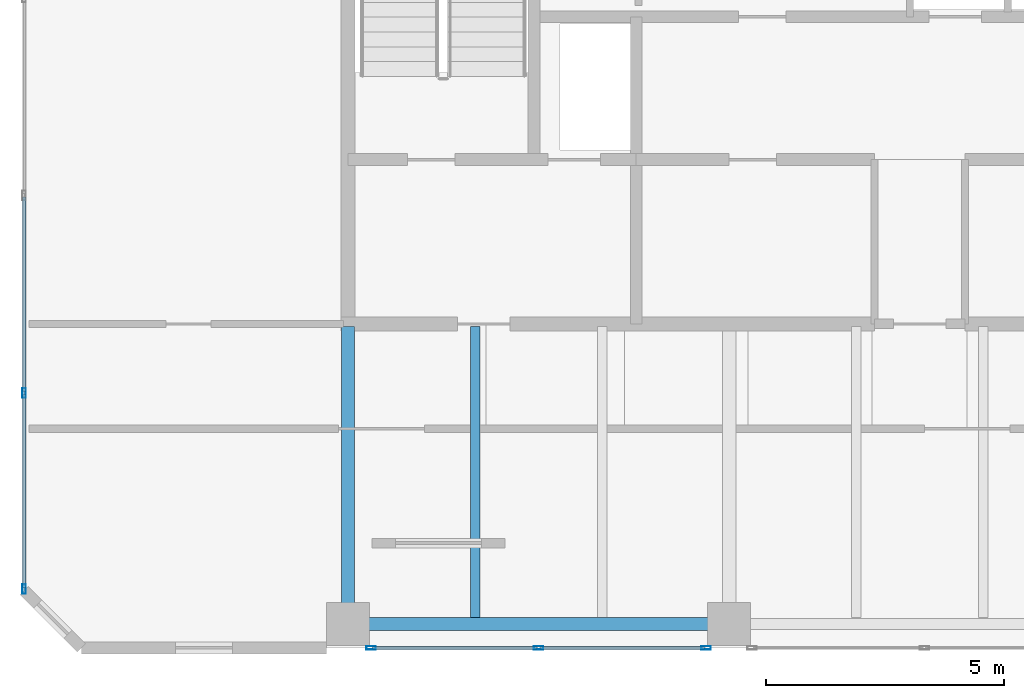
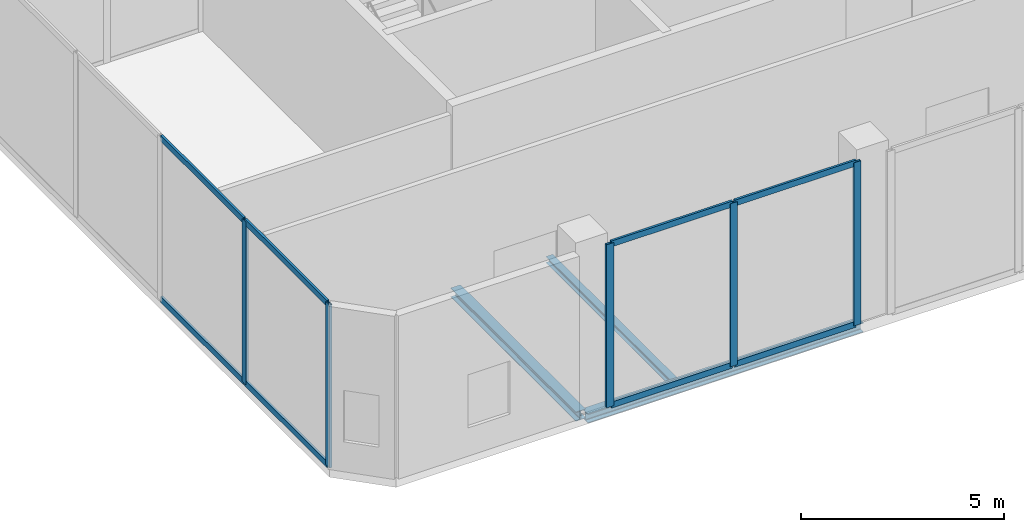
# One storey, part 2 of 10: 13 members, 3 beams, 2 elements without a shape of their own.
"""IFC4 building model written with IfcOpenShell, lengths in metres."""

import ifcopenshell
import ifcopenshell.guid

model = None  # the IFC model being written
_history = None  # IfcOwnerHistory: only IFC2X3 demands one
_inside = {}  # id of a spatial element -> (the spatial element, [elements in it])
_under = {}  # id of a project, library or spatial element -> (it, [spatial elements below it])
_declared = {}  # id of a project -> (the project, [libraries it declares])
_typed = {}  # id of a type object -> (the type object, [elements of that type])
_made_of = {}  # id of a material, layer set ... -> (it, [elements and type objects made of it])


def new_model(schema):
    """Start an empty IFC model of exactly this schema.

    Asked for "IFC4X3", IfcOpenShell would pick the latest addendum, in which some entities
    have other attributes; the version numbers below select the first issue.
    IFC2X3 requires an IfcOwnerHistory on every rooted entity: one is made here for all.
    """
    global model, _history
    if schema == "IFC4X3":
        model = ifcopenshell.file(schema_version=(4, 3, 0, 0))
    else:
        model = ifcopenshell.file(schema=schema)
    _inside.clear()
    _under.clear()
    _declared.clear()
    _typed.clear()
    _made_of.clear()
    _history = None
    if model.schema == "IFC2X3":
        org = make("IfcOrganization", Name="unknown")
        user = make(
            "IfcPersonAndOrganization",
            ThePerson=make("IfcPerson", FamilyName="unknown"),
            TheOrganization=org,
        )
        app = make(
            "IfcApplication",
            ApplicationDeveloper=org,
            Version="unknown",
            ApplicationFullName="unknown",
            ApplicationIdentifier="unknown",
        )
        _history = make(
            "IfcOwnerHistory",
            OwningUser=user,
            OwningApplication=app,
            ChangeAction="ADDED",
            CreationDate=0,
        )
    return model


def make(cls, **values):
    """One entity of the class cls with the attributes given. An attribute that is None is left unset."""
    return model.create_entity(
        cls, **{name: value for name, value in values.items() if value is not None}
    )


def rooted(cls, **values):
    """An entity with a GlobalId (a new one), such as an element, a storey or a relation."""
    return make(cls, GlobalId=ifcopenshell.guid.new(), OwnerHistory=_history, **values)


def si_unit(unit_type, name, prefix=None):
    """IfcSIUnit, for example si_unit("LENGTHUNIT", "METRE", prefix="MILLI")."""
    return make("IfcSIUnit", UnitType=unit_type, Prefix=prefix, Name=name)


def assignment(units):
    """IfcUnitAssignment: the units of a project."""
    return None if units is None else make("IfcUnitAssignment", Units=units)


def point(xyz):
    """IfcCartesianPoint."""
    return None if xyz is None else make("IfcCartesianPoint", Coordinates=xyz)


def direction(xyz):
    """IfcDirection."""
    return None if xyz is None else make("IfcDirection", DirectionRatios=xyz)


def frame(location, z_axis=None, x_axis=None):
    """IfcAxis2Placement3D, a coordinate frame: its origin and axes. An axis left out is left unset."""
    return make(
        "IfcAxis2Placement3D",
        Location=point(location),
        Axis=direction(z_axis),
        RefDirection=direction(x_axis),
    )


def frame_2d(location, x_axis=None):
    """IfcAxis2Placement2D, a coordinate frame in the plane: its origin and x axis."""
    return make(
        "IfcAxis2Placement2D", Location=point(location), RefDirection=direction(x_axis)
    )


def origin():
    """The frame at (0, 0, 0) with its axes left unset."""
    return frame((0.0, 0.0, 0.0))


def origin_2d():
    """The frame at (0, 0) in the plane with its x axis left unset."""
    return frame_2d((0.0, 0.0))


def place(relative_to, where):
    """IfcLocalPlacement: puts the frame where relative to a parent placement (None: the world)."""
    return make(
        "IfcLocalPlacement", PlacementRelTo=relative_to, RelativePlacement=where
    )


def context(
    kind, dimensions, precision=None, world=None, true_north=None, identifier=None
):
    """IfcGeometricRepresentationContext, for example the 3D "Model" context."""
    return make(
        "IfcGeometricRepresentationContext",
        ContextIdentifier=identifier,
        ContextType=kind,
        CoordinateSpaceDimension=dimensions,
        Precision=precision,
        WorldCoordinateSystem=world,
        TrueNorth=true_north,
    )


def subcontext(parent, identifier, kind, view, scale=None):
    """IfcGeometricRepresentationSubContext, for example "Body" below "Model"."""
    return make(
        "IfcGeometricRepresentationSubContext",
        ContextIdentifier=identifier,
        ContextType=kind,
        ParentContext=parent,
        TargetScale=scale,
        TargetView=view,
    )


def project(units=None, contexts=None):
    """IfcProject with its units and contexts."""
    return rooted(
        "IfcProject",
        Name="project",
        RepresentationContexts=contexts,
        UnitsInContext=assignment(units),
    )


def spatial(cls, under=None, at=None, **own):
    """A site, building, storey or space (cls), placed at a placement, below another one or the project."""
    s = rooted(cls, ObjectPlacement=at, **own)
    if under is not None:
        _under.setdefault(under.id(), (under, []))[1].append(s)
    return s


def profile(cls, at=None, kind="AREA", **sizes):
    """A parametric profile (cls). Its sizes go by their IFC names, for example OverallWidth=200.0."""
    return make(cls, ProfileType=kind, Position=at, **sizes)


def hollow_rectangle(**sizes):
    """IfcRectangleHollowProfileDef."""
    return profile("IfcRectangleHollowProfileDef", **sizes)


def i_section(**sizes):
    """IfcIShapeProfileDef."""
    return profile("IfcIShapeProfileDef", **sizes)


def extrude(swept, where, along, depth):
    """IfcExtrudedAreaSolid: the profile swept, set in the frame where, extruded along a direction by depth."""
    return make(
        "IfcExtrudedAreaSolid",
        SweptArea=swept,
        Position=where,
        ExtrudedDirection=direction(along),
        Depth=depth,
    )


def shape(context_of_items, identifier, shape_type, items):
    """IfcShapeRepresentation: the items that make up one representation, for example the "Body"."""
    return make(
        "IfcShapeRepresentation",
        ContextOfItems=context_of_items,
        RepresentationIdentifier=identifier,
        RepresentationType=shape_type,
        Items=items,
    )


def material(Name=None, Category=None):
    """IfcMaterial."""
    return make("IfcMaterial", Name=Name, Category=Category)


def layer(
    of_material, thickness, ventilated=None, Name=None, Category=None, Priority=None
):
    """IfcMaterialLayer: one layer of a wall or slab, of a material (None: an air gap)."""
    return make(
        "IfcMaterialLayer",
        Material=of_material,
        LayerThickness=thickness,
        IsVentilated=ventilated,
        Name=Name,
        Category=Category,
        Priority=Priority,
    )


def layer_set(layers, Name=None):
    """IfcMaterialLayerSet."""
    return make("IfcMaterialLayerSet", MaterialLayers=layers, LayerSetName=Name)


def material_profile(
    of_material, cross_section, Name=None, Category=None, Priority=None
):
    """IfcMaterialProfile: a cross section and its material."""
    return make(
        "IfcMaterialProfile",
        Name=Name,
        Material=of_material,
        Profile=cross_section,
        Priority=Priority,
        Category=Category,
    )


def profile_set(profiles, Name=None, composite=None):
    """IfcMaterialProfileSet."""
    return make(
        "IfcMaterialProfileSet",
        Name=Name,
        MaterialProfiles=profiles,
        CompositeProfile=composite,
    )


def made_of(thing, what):
    """Note that an element or type object is made of a material, layer set ...; save() writes the relation."""
    if what is not None:
        _made_of.setdefault(what.id(), (what, []))[1].append(thing)
    return thing


def type_object(cls, material=None, **own):
    """A type object (cls), such as IfcWallType, which elements share."""
    return made_of(rooted(cls, **own), material)


def element(
    cls,
    number,
    at=None,
    inside=None,
    cuts=None,
    type_object=None,
    material=None,
    context=None,
    identifier="Body",
    shape_type=None,
    held_by="IfcProductDefinitionShape",
    body=None,
    shapes=None,
    **own,
):
    """One element of the class cls, such as IfcWall. Its Tag is "e" and its number.

    at: its placement. inside: the storey or other place that contains it. cuts: it is an
    opening in that element (IfcRelVoidsElement). A single representation is given by context,
    identifier, shape_type and body (its items); several are given by shapes. held_by: the class
    of the entity that holds the representations. save() writes the other relations.
    """
    e = rooted(cls, Tag="e%d" % number, ObjectPlacement=at, **own)
    if body is not None:
        shapes = [shape(context, identifier, shape_type, body)]
    if shapes is not None:
        e.Representation = make(held_by, Representations=shapes)
    if inside is not None:
        _inside.setdefault(inside.id(), (inside, []))[1].append(e)
    if cuts is not None:
        rooted(
            "IfcRelVoidsElement", RelatingBuildingElement=cuts, RelatedOpeningElement=e
        )
    if type_object is not None:
        _typed.setdefault(type_object.id(), (type_object, []))[1].append(e)
    return made_of(e, material)


def aggregate(whole, parts):
    """IfcRelAggregates: a whole, such as a stair, and the parts it consists of."""
    return rooted("IfcRelAggregates", RelatingObject=whole, RelatedObjects=parts)


def save(model, path):
    """Write the relations noted so far, then the file.

    IfcRelAggregates (storeys below a building ...), IfcRelContainedInSpatialStructure (elements
    in a storey), IfcRelDefinesByType, IfcRelAssociatesMaterial and IfcRelDeclares: one each for
    every whole, place, type object, material and project.
    """
    for whole, parts in _under.values():
        aggregate(whole, parts)
    for where, things in _inside.values():
        rooted(
            "IfcRelContainedInSpatialStructure",
            RelatedElements=things,
            RelatingStructure=where,
        )
    for kind, things in _typed.values():
        rooted("IfcRelDefinesByType", RelatedObjects=things, RelatingType=kind)
    for what, things in _made_of.values():
        rooted("IfcRelAssociatesMaterial", RelatedObjects=things, RelatingMaterial=what)
    for by, libraries in _declared.values():
        rooted("IfcRelDeclares", RelatingContext=by, RelatedDefinitions=libraries)
    model.write(path)


model = new_model("IFC4")

# Units and contexts
model_context = context("Model", 3, precision=1e-05, world=origin(), true_north=direction((0.0, 1.0)))
body_context = subcontext(model_context, "Body", "Model", "MODEL_VIEW")
ifc_project = project(units=[si_unit("LENGTHUNIT", "METRE"), si_unit("AREAUNIT", "SQUARE_METRE"), si_unit("VOLUMEUNIT", "CUBIC_METRE"), si_unit("PLANEANGLEUNIT", "RADIAN"), si_unit("MASSUNIT", "GRAM", prefix="KILO")], contexts=[model_context])

# Site, building, storey
site_placement = place(None, origin())
site = spatial("IfcSite", under=ifc_project, at=site_placement, CompositionType="ELEMENT")
building_placement = place(site_placement, origin())
building = spatial("IfcBuilding", under=site, at=building_placement, Name="Catumbela Crestline Tower", CompositionType="ELEMENT")
storey_placement = place(building_placement, frame((0.0, 0.0, 295.8)))
storey = spatial("IfcBuildingStorey", under=building, at=storey_placement, Name="L76", CompositionType="ELEMENT", Elevation=295.8)

# Beams
ifc_material_1 = material(Name="Structural steel S355J2", Category="steel")
ifc_material_profile_1 = material_profile(ifc_material_1, i_section(OverallWidth=0.28, OverallDepth=0.28, WebThickness=0.0105, FlangeThickness=0.018, FilletRadius=0.024, at=origin_2d()), Name="HEB 280")
ifc_profile_set_1 = profile_set([ifc_material_profile_1], Name="Structural steel S355J2")
beam_type_1 = type_object("IfcBeamType", Name="BG-HEB280", PredefinedType="BEAM", material=ifc_profile_set_1)
beam_1_placement = place(storey_placement, frame((16.08, 24.5, -0.46), z_axis=(1.0, 0.0, 0.0), x_axis=(0.0, 1.0, 0.0)))
element("IfcBeam", 1, at=beam_1_placement, inside=storey, type_object=beam_type_1, Name="L76 Beam BM-L76-S01", PredefinedType="BEAM", context=body_context, shape_type="SweptSolid", body=[
    extrude(i_section(OverallWidth=0.28, OverallDepth=0.28, WebThickness=0.0105, FlangeThickness=0.018, FilletRadius=0.024, at=origin_2d()), origin(), (0.0, 0.0, 1.0), 7.84),
])
beam_2_placement = place(storey_placement, frame((16.0, 24.58, -0.46), z_axis=(0.0, 1.0, 0.0), x_axis=(-1.0, 0.0, 0.0)))
element("IfcBeam", 2, at=beam_2_placement, inside=storey, type_object=beam_type_1, Name="L76 Beam BM-L76-SNS04", PredefinedType="BEAM", context=body_context, shape_type="SweptSolid", body=[
    extrude(i_section(OverallWidth=0.28, OverallDepth=0.28, WebThickness=0.0105, FlangeThickness=0.018, FilletRadius=0.024, at=origin_2d()), origin(), (0.0, 0.0, 1.0), 6.17),
])
ifc_material_profile_2 = material_profile(ifc_material_1, i_section(OverallWidth=0.2, OverallDepth=0.19, WebThickness=0.0065, FlangeThickness=0.01, FilletRadius=0.018, at=origin_2d()), Name="HEA 200")
ifc_profile_set_2 = profile_set([ifc_material_profile_2], Name="Structural steel S355J2")
beam_type_2 = type_object("IfcBeamType", Name="BJ-HEA200", PredefinedType="JOIST", material=ifc_profile_set_2)
beam_3_placement = place(storey_placement, frame((18.667, 24.637, -0.415), z_axis=(0.0, 1.0, 0.0), x_axis=(-1.0, 0.0, 0.0)))
element("IfcBeam", 3, at=beam_3_placement, inside=storey, type_object=beam_type_2, Name="L76 Joist JS-L76-SP08", PredefinedType="JOIST", context=body_context, shape_type="SweptSolid", body=[
    extrude(i_section(OverallWidth=0.2, OverallDepth=0.19, WebThickness=0.0065, FlangeThickness=0.01, FilletRadius=0.018, at=origin_2d()), origin(), (0.0, 0.0, 1.0), 6.113),
])

# Curtain wall, members
ifc_material_2 = material(Name="Aluminium alloy AW-6060-T66", Category="aluminium")
ifc_layer = layer(ifc_material_2, 0.18, Name="Aluminium alloy AW-6060-T66")
ifc_layer_set = layer_set([ifc_layer], Name="Aluminium alloy AW-6060-T66")
curtain_wall_type = type_object("IfcCurtainWallType", Name="CWS-OBS", PredefinedType="USERDEFINED", material=ifc_layer_set)
curtain_wall_1_placement = place(storey_placement, origin())
curtain_wall_1 = element("IfcCurtainWall", 4, at=curtain_wall_1_placement, inside=storey, type_object=curtain_wall_type, Name="L76 Stick Curtain Wall CW-L76-E0S2", ObjectType="STICK", PredefinedType="USERDEFINED")
ifc_material_profile_3 = material_profile(ifc_material_2, hollow_rectangle(XDim=0.075, YDim=0.2, WallThickness=0.005, at=origin_2d()), Name="ALU 200x75x5")
ifc_profile_set_3 = profile_set([ifc_material_profile_3], Name="Aluminium alloy AW-6060-T66")
member_type_1 = type_object("IfcMemberType", Name="MUL-200X75", PredefinedType="MULLION", material=ifc_profile_set_3)
member_1_placement = place(storey_placement, frame((16.4825, 24.0, 0.0), z_axis=(0.0, 0.0, 1.0), x_axis=(0.0, 1.0, 0.0)))
member_1 = element("IfcMember", 5, at=member_1_placement, type_object=member_type_1, Name="CWS-OBS mullion 1", PredefinedType="MULLION", context=body_context, shape_type="SweptSolid", body=[
    extrude(hollow_rectangle(XDim=0.075, YDim=0.2, WallThickness=0.005, at=origin_2d()), origin(), (0.0, 0.0, 1.0), 4.91),
])
member_2_placement = place(storey_placement, frame((20.0, 24.0, 0.0), z_axis=(0.0, 0.0, 1.0), x_axis=(0.0, 1.0, 0.0)))
member_2 = element("IfcMember", 6, at=member_2_placement, type_object=member_type_1, Name="CWS-OBS mullion 2", PredefinedType="MULLION", context=body_context, shape_type="SweptSolid", body=[
    extrude(hollow_rectangle(XDim=0.075, YDim=0.2, WallThickness=0.005, at=origin_2d()), origin(), (0.0, 0.0, 1.0), 4.91),
])
member_3_placement = place(storey_placement, frame((23.5175, 24.0, 0.0), z_axis=(0.0, 0.0, 1.0), x_axis=(0.0, 1.0, 0.0)))
member_3 = element("IfcMember", 7, at=member_3_placement, type_object=member_type_1, Name="CWS-OBS mullion 3", PredefinedType="MULLION", context=body_context, shape_type="SweptSolid", body=[
    extrude(hollow_rectangle(XDim=0.075, YDim=0.2, WallThickness=0.005, at=origin_2d()), origin(), (0.0, 0.0, 1.0), 4.91),
])

curtain_wall_2_placement = place(storey_placement, origin())
curtain_wall_2 = element("IfcCurtainWall", 8, at=curtain_wall_2_placement, inside=storey, type_object=curtain_wall_type, Name="L76 Stick Curtain Wall CW-L76-E6S1", ObjectType="STICK", PredefinedType="USERDEFINED")
member_4_placement = place(storey_placement, frame((9.2, 29.35, 0.0), z_axis=(0.0, 0.0, 1.0), x_axis=(1.0, 0.0, 0.0)))
member_4 = element("IfcMember", 9, at=member_4_placement, type_object=member_type_1, Name="CWS-OBS mullion 4", PredefinedType="MULLION", context=body_context, shape_type="SweptSolid", body=[
    extrude(hollow_rectangle(XDim=0.075, YDim=0.2, WallThickness=0.005, at=origin_2d()), origin(), (0.0, 0.0, 1.0), 4.91),
])
member_5_placement = place(storey_placement, frame((9.2, 25.2325, 0.0), z_axis=(0.0, 0.0, 1.0), x_axis=(1.0, 0.0, 0.0)))
member_5 = element("IfcMember", 10, at=member_5_placement, type_object=member_type_1, Name="CWS-OBS mullion 5", PredefinedType="MULLION", context=body_context, shape_type="SweptSolid", body=[
    extrude(hollow_rectangle(XDim=0.075, YDim=0.2, WallThickness=0.005, at=origin_2d()), origin(), (0.0, 0.0, 1.0), 4.91),
])

# Member
ifc_material_profile_4 = material_profile(ifc_material_2, hollow_rectangle(XDim=0.065, YDim=0.18, WallThickness=0.004, at=origin_2d()), Name="ALU 180x65x4")
ifc_profile_set_4 = profile_set([ifc_material_profile_4], Name="Aluminium alloy AW-6060-T66")
member_type_2 = type_object("IfcMemberType", Name="TRN-180X65", PredefinedType="USERDEFINED", material=ifc_profile_set_4)
member_6_placement = place(storey_placement, frame((16.515, 24.0, 0.03), z_axis=(1.0, 0.0, 0.0), x_axis=(0.0, 1.0, 0.0)))
member_6 = element("IfcMember", 11, at=member_6_placement, type_object=member_type_2, Name="CWS-OBS transom 1.1", ObjectType="TRANSOM", PredefinedType="USERDEFINED", context=body_context, shape_type="SweptSolid", body=[
    extrude(hollow_rectangle(XDim=0.065, YDim=0.18, WallThickness=0.004, at=origin_2d()), origin(), (0.0, 0.0, 1.0), 3.4525),
])

member_7_placement = place(storey_placement, frame((16.515, 24.0, 4.88), z_axis=(1.0, 0.0, 0.0), x_axis=(0.0, 1.0, 0.0)))
member_7 = element("IfcMember", 12, at=member_7_placement, type_object=member_type_2, Name="CWS-OBS transom 1.2", ObjectType="TRANSOM", PredefinedType="USERDEFINED", context=body_context, shape_type="SweptSolid", body=[
    extrude(hollow_rectangle(XDim=0.065, YDim=0.18, WallThickness=0.004, at=origin_2d()), origin(), (0.0, 0.0, 1.0), 3.4525),
])

member_8_placement = place(storey_placement, frame((20.0325, 24.0, 0.03), z_axis=(1.0, 0.0, 0.0), x_axis=(0.0, 1.0, 0.0)))
member_8 = element("IfcMember", 13, at=member_8_placement, type_object=member_type_2, Name="CWS-OBS transom 2.1", ObjectType="TRANSOM", PredefinedType="USERDEFINED", context=body_context, shape_type="SweptSolid", body=[
    extrude(hollow_rectangle(XDim=0.065, YDim=0.18, WallThickness=0.004, at=origin_2d()), origin(), (0.0, 0.0, 1.0), 3.4525),
])

member_9_placement = place(storey_placement, frame((20.0325, 24.0, 4.88), z_axis=(1.0, 0.0, 0.0), x_axis=(0.0, 1.0, 0.0)))
member_9 = element("IfcMember", 14, at=member_9_placement, type_object=member_type_2, Name="CWS-OBS transom 2.2", ObjectType="TRANSOM", PredefinedType="USERDEFINED", context=body_context, shape_type="SweptSolid", body=[
    extrude(hollow_rectangle(XDim=0.065, YDim=0.18, WallThickness=0.004, at=origin_2d()), origin(), (0.0, 0.0, 1.0), 3.4525),
])

aggregate(curtain_wall_1, [member_1, member_2, member_3, member_6, member_7, member_8, member_9])

member_10_placement = place(storey_placement, frame((9.2, 33.4675, 0.03), z_axis=(0.0, -1.0, 0.0), x_axis=(1.0, 0.0, 0.0)))
member_10 = element("IfcMember", 15, at=member_10_placement, type_object=member_type_2, Name="CWS-OBS transom 3.1", ObjectType="TRANSOM", PredefinedType="USERDEFINED", context=body_context, shape_type="SweptSolid", body=[
    extrude(hollow_rectangle(XDim=0.065, YDim=0.18, WallThickness=0.004, at=origin_2d()), origin(), (0.0, 0.0, 1.0), 4.085),
])

member_11_placement = place(storey_placement, frame((9.2, 33.4675, 4.88), z_axis=(0.0, -1.0, 0.0), x_axis=(1.0, 0.0, 0.0)))
member_11 = element("IfcMember", 16, at=member_11_placement, type_object=member_type_2, Name="CWS-OBS transom 3.2", ObjectType="TRANSOM", PredefinedType="USERDEFINED", context=body_context, shape_type="SweptSolid", body=[
    extrude(hollow_rectangle(XDim=0.065, YDim=0.18, WallThickness=0.004, at=origin_2d()), origin(), (0.0, 0.0, 1.0), 4.085),
])

member_12_placement = place(storey_placement, frame((9.2, 29.3175, 0.03), z_axis=(0.0, -1.0, 0.0), x_axis=(1.0, 0.0, 0.0)))
member_12 = element("IfcMember", 17, at=member_12_placement, type_object=member_type_2, Name="CWS-OBS transom 4.1", ObjectType="TRANSOM", PredefinedType="USERDEFINED", context=body_context, shape_type="SweptSolid", body=[
    extrude(hollow_rectangle(XDim=0.065, YDim=0.18, WallThickness=0.004, at=origin_2d()), origin(), (0.0, 0.0, 1.0), 4.0525),
])

member_13_placement = place(storey_placement, frame((9.2, 29.3175, 4.88), z_axis=(0.0, -1.0, 0.0), x_axis=(1.0, 0.0, 0.0)))
member_13 = element("IfcMember", 18, at=member_13_placement, type_object=member_type_2, Name="CWS-OBS transom 4.2", ObjectType="TRANSOM", PredefinedType="USERDEFINED", context=body_context, shape_type="SweptSolid", body=[
    extrude(hollow_rectangle(XDim=0.065, YDim=0.18, WallThickness=0.004, at=origin_2d()), origin(), (0.0, 0.0, 1.0), 4.0525),
])

aggregate(curtain_wall_2, [member_4, member_5, member_10, member_11, member_12, member_13])

save(model, "model.ifc")
